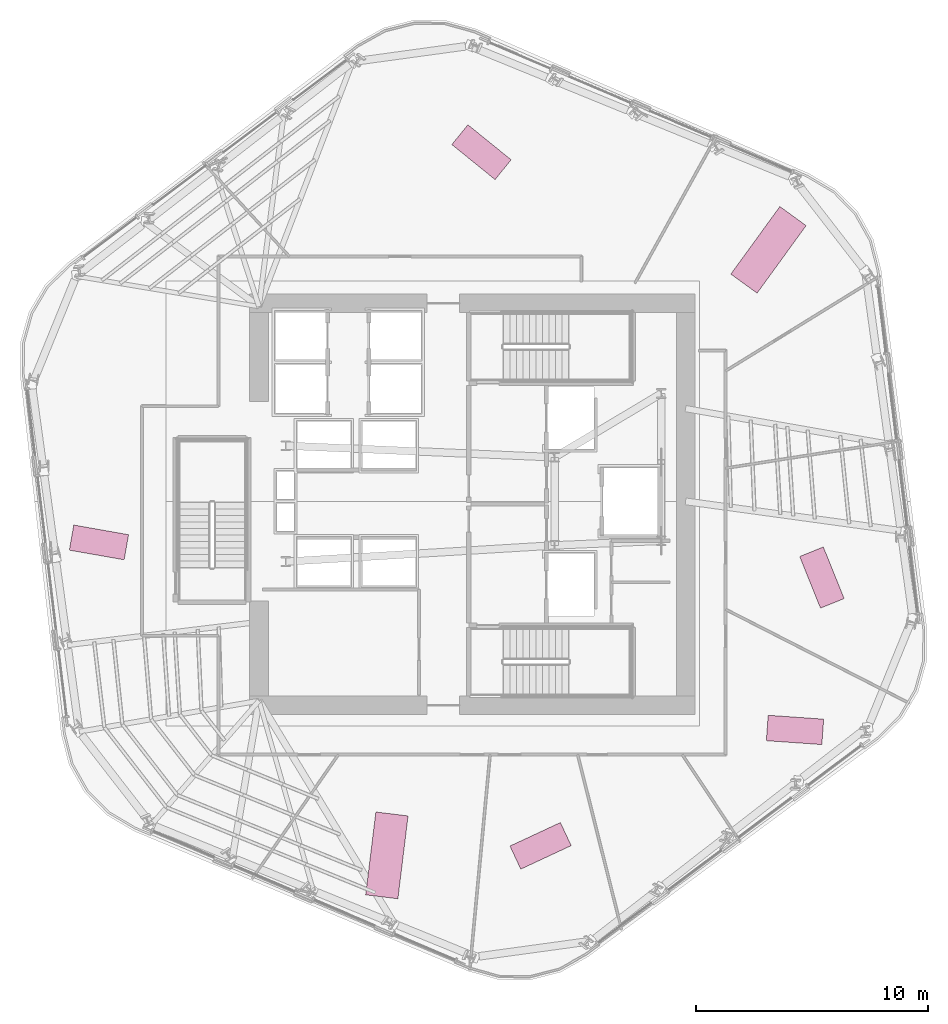
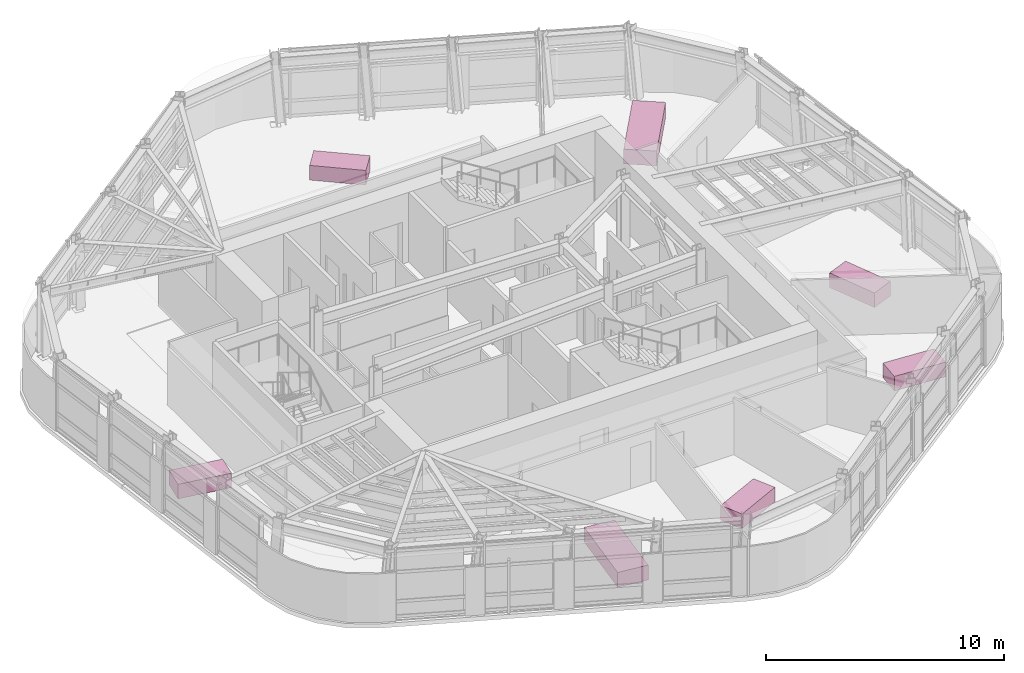
# One storey, part 14 of 14: 7 furniture elements.
"""IFC4 building model written with IfcOpenShell, lengths in metres."""

from ifc_helpers import new_model, si_unit, direction, frame, origin, origin_2d, place, context, subcontext, project, spatial, rectangle, extrude, material, type_object, element, save


model = new_model("IFC4")

# Units and contexts
model_context = context("Model", 3, precision=1e-05, world=origin(), true_north=direction((0.0, 1.0)))
body_context = subcontext(model_context, "Body", "Model", "MODEL_VIEW")
ifc_project = project(units=[si_unit("LENGTHUNIT", "METRE"), si_unit("AREAUNIT", "SQUARE_METRE"), si_unit("VOLUMEUNIT", "CUBIC_METRE"), si_unit("PLANEANGLEUNIT", "RADIAN"), si_unit("MASSUNIT", "GRAM", prefix="KILO")], contexts=[model_context])

# Site, building, storey
site_placement = place(None, origin())
site = spatial("IfcSite", under=ifc_project, at=site_placement, CompositionType="ELEMENT")
building_placement = place(site_placement, origin())
building = spatial("IfcBuilding", under=site, at=building_placement, Name="Valkerne Bourse Tower", CompositionType="ELEMENT")
storey_placement = place(building_placement, frame((0.0, 0.0, 181.800048828125)))
storey = spatial("IfcBuildingStorey", under=building, at=storey_placement, Name="L46", CompositionType="ELEMENT", Elevation=181.800048828125)

# Furniture
ifc_material = material(Name="Architectural White Oak Timber", Category="wood")
furniture_type_1 = type_object("IfcFurnitureType", Name="FURN-CONF-3600", AssemblyPlace="NOTDEFINED", PredefinedType="TABLE", material=ifc_material)
for number, where, z_axis, x_axis, name in (
    (1, (59.574951171875, 37.846923828125, 0.044921875), (0.0, 0.0, 1.0), (0.587785252292, 0.809016994375, 0.0), "L46 Suite Worktable 08"),
    (2, (43.115966796875, 11.72998046875, 0.044921875), (0.0, 0.0, 1.0), (0.121869343405, 0.992546151641, 0.0), "L46 Suite Worktable 09"),
):
    element("IfcFurniture", number, at=place(storey_placement, frame(where, z_axis=z_axis, x_axis=x_axis)), inside=storey, type_object=furniture_type_1, Name=name, PredefinedType="TABLE", context=body_context, shape_type="SweptSolid", body=[
        extrude(rectangle(XDim=3.60009765625, YDim=1.39990234375, at=origin_2d()), origin(), (0.0, 0.0, 1.0), 0.760009765625),
    ])
furniture_type_2 = type_object("IfcFurnitureType", Name="FURN-DESK-2400", AssemblyPlace="NOTDEFINED", PredefinedType="DESK", material=ifc_material)
for number, where, z_axis, x_axis, name in (
    (3, (60.718994140625, 17.14111328125, 0.044921875), (0.0, 0.0, 1.0), (-0.99756405026, 0.069756473744, 0.0), "L46 Suite Worktable 06"),
    (4, (49.7451171875, 12.14111328125, 0.044921875), (0.0, 0.0, 1.0), (0.906307787037, 0.422618261741, 0.0), "L46 Suite Worktable 07"),
    (5, (61.8798828125, 23.712890625, 0.044921875), (0.0, 0.0, 1.0), (-0.374606593416, 0.927183854567, 0.0), "L46 Suite Worktable 10"),
    (6, (47.197021484375, 42.06005859375, 0.044921875), (0.0, 0.0, 1.0), (-0.777145961457, 0.62932039105, 0.0), "L46 Suite Worktable 11"),
    (7, (30.697998046875, 25.22802734375, 0.044921875), (0.0, 0.0, 1.0), (-0.984807753012, 0.173648177667, 0.0), "L46 Suite Worktable 12"),
):
    element("IfcFurniture", number, at=place(storey_placement, frame(where, z_axis=z_axis, x_axis=x_axis)), inside=storey, type_object=furniture_type_2, Name=name, PredefinedType="DESK", context=body_context, shape_type="SweptSolid", body=[
        extrude(rectangle(XDim=2.39990234375, YDim=1.10009765625, at=origin_2d()), origin(), (0.0, 0.0, 1.0), 0.75),
    ])

save(model, "model.ifc")
